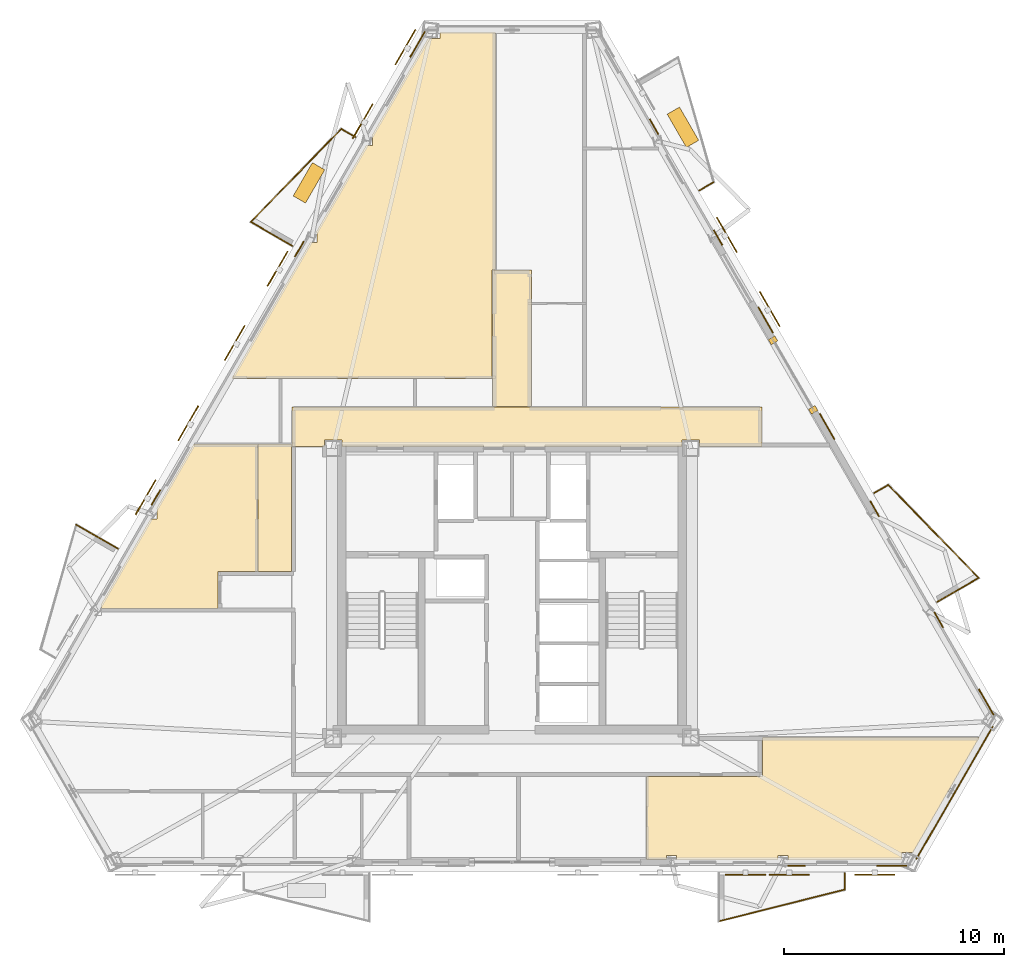
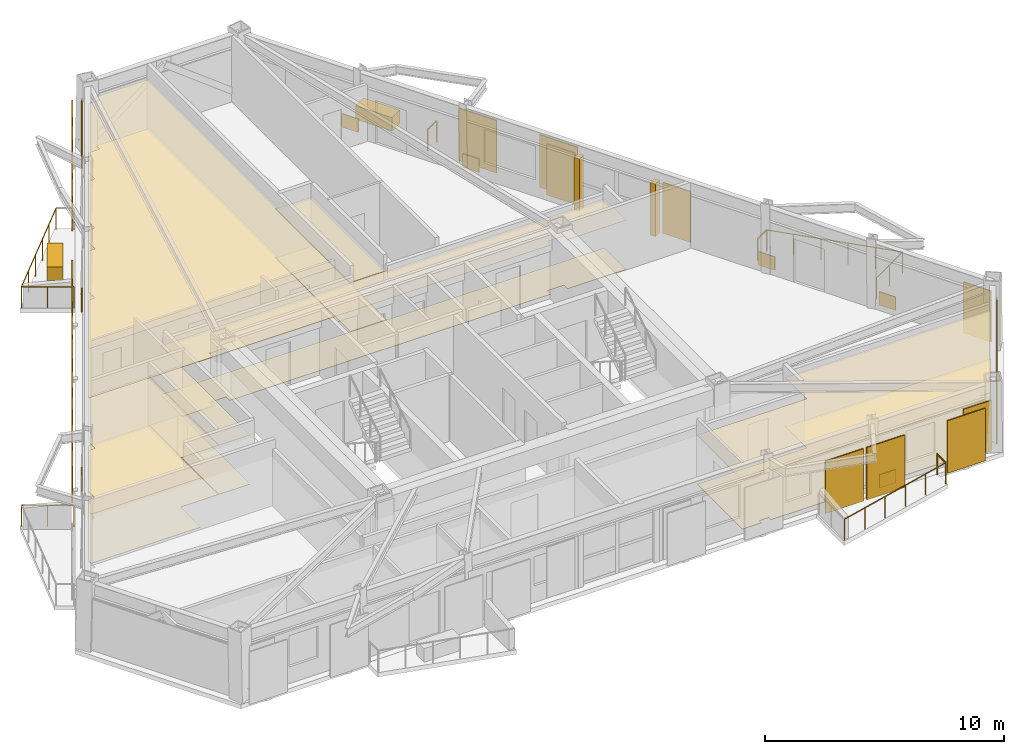
# One storey, part 12 of 13: 29 coverings, 11 shading devices, 10 railings.
"""IFC4 building model written with IfcOpenShell, lengths in metres."""

from ifc_helpers import new_model, si_unit, direction, frame, origin, origin_2d, place, context, subcontext, project, spatial, polyline, rectangle, circle, outline, extrude, material, layer, layer_set, type_object, element, save


model = new_model("IFC4")

# Units and contexts
model_context = context("Model", 3, precision=1e-05, world=origin(), true_north=direction((0.0, 1.0)))
body_context = subcontext(model_context, "Body", "Model", "MODEL_VIEW")
ifc_project = project(units=[si_unit("LENGTHUNIT", "METRE"), si_unit("AREAUNIT", "SQUARE_METRE"), si_unit("VOLUMEUNIT", "CUBIC_METRE"), si_unit("PLANEANGLEUNIT", "RADIAN"), si_unit("MASSUNIT", "GRAM", prefix="KILO")], contexts=[model_context])

# Site, building, storey
site_placement = place(None, origin())
site = spatial("IfcSite", under=ifc_project, at=site_placement, CompositionType="ELEMENT")
building_placement = place(site_placement, origin())
building = spatial("IfcBuilding", under=site, at=building_placement, Name="Oramaril Tower", CompositionType="ELEMENT")
storey_placement = place(building_placement, frame((0.0, 0.0, 197.39990234375)))
storey = spatial("IfcBuildingStorey", under=building, at=storey_placement, Name="L52", CompositionType="ELEMENT", Elevation=197.39990234375)

# Coverings
ifc_material_1 = material(Name="Mineral Fibre Acoustic Ceiling")
ifc_layer_1 = layer(ifc_material_1, 0.02001953125)
ifc_layer_set_1 = layer_set([ifc_layer_1], Name="CVT-CEIL")
covering_type_1 = type_object("IfcCoveringType", Name="CVT-CEIL", PredefinedType="CEILING", material=ifc_layer_set_1)
covering_1_placement = place(storey_placement, frame((0.0, 0.0, 2.51220703125)))
element("IfcCovering", 1, at=covering_1_placement, inside=storey, type_object=covering_type_1, Name="L52 Acoustic Suspended Ceiling 2", PredefinedType="CEILING", context=body_context, shape_type="SweptSolid", body=[
    extrude(outline(polyline([(48.8798828125, 24.239990234375), (46.044921875, 24.239990234375), (46.044921875, 24.544921875), (45.2548828125, 24.544921875), (45.2548828125, 24.25), (29.7451171875, 24.25), (29.7451171875, 24.544921875), (28.955078125, 24.544921875), (28.955078125, 24.239990234375), (27.469970703125, 24.239990234375), (27.469970703125, 26.050048828125), (48.8798828125, 26.050048828125), (48.8798828125, 24.239990234375)])), origin(), (0.0, 0.0, 1.0), 0.019775390625),
])
covering_2_placement = place(storey_placement, frame((0.0, 0.0, 2.51220703125)))
element("IfcCovering", 2, at=covering_2_placement, inside=storey, type_object=covering_type_1, Name="L52 Acoustic Suspended Ceiling 4", PredefinedType="CEILING", context=body_context, shape_type="SweptSolid", body=[
    extrude(outline(polyline([(38.3798828125, 26.070068359375), (36.6201171875, 26.070068359375), (36.6201171875, 32.280029296875), (38.3798828125, 32.280029296875), (38.3798828125, 26.070068359375)])), origin(), (0.0, 0.0, 1.0), 0.019775390625),
])
covering_3_placement = place(storey_placement, frame((0.0, 0.0, 2.51220703125)))
element("IfcCovering", 3, at=covering_3_placement, inside=storey, type_object=covering_type_1, Name="L52 Acoustic Suspended Ceiling 7", PredefinedType="CEILING", context=body_context, shape_type="SweptSolid", body=[
    extrude(outline(polyline([(55.775634765625, 5.750732421875), (55.27685546875, 5.750732421875), (55.27685546875, 5.41943359375), (50.0791015625, 5.41943359375), (50.0791015625, 5.60009765625), (49.620361328125, 5.60009765625), (49.620361328125, 5.41943359375), (44.989990234375, 5.41943359375), (44.989990234375, 5.60009765625), (44.539306640625, 5.60009765625), (44.539306640625, 5.41943359375), (43.6181640625, 5.41943359375), (43.6181640625, 9.199951171875), (48.8798828125, 9.199951171875), (48.882080078125, 9.2001953125), (48.8837890625, 9.200439453125), (48.8857421875, 9.200927734375), (48.8876953125, 9.201416015625), (48.889404296875, 9.202392578125), (48.89111328125, 9.203369140625), (48.892578125, 9.20458984375), (48.89404296875, 9.205810546875), (48.8955078125, 9.207275390625), (48.896484375, 9.208984375), (48.897705078125, 9.210693359375), (48.8984375, 9.21240234375), (48.899169921875, 9.214111328125), (48.899658203125, 9.216064453125), (48.89990234375, 9.218017578125), (48.89990234375, 9.219970703125), (48.89990234375, 10.991943359375), (58.8017578125, 10.991943359375), (55.775634765625, 5.750732421875)])), origin(), (0.0, 0.0, 1.0), 0.019775390625),
])
covering_4_placement = place(storey_placement, frame((0.0, 0.0, 2.51220703125)))
element("IfcCovering", 4, at=covering_4_placement, inside=storey, type_object=covering_type_1, Name="L52 Acoustic Suspended Ceiling 14", PredefinedType="CEILING", context=body_context, shape_type="SweptSolid", body=[
    extrude(outline(polyline([(18.79248046875, 17.027099609375), (18.7744140625, 17.027099609375), (21.03564453125, 20.94384765625), (21.3369140625, 20.94384765625), (21.3369140625, 21.427490234375), (21.31494140625, 21.427490234375), (23.009033203125, 24.362060546875), (25.918212890625, 24.362060546875), (25.918212890625, 18.550048828125), (24.1201171875, 18.550048828125), (24.117919921875, 18.5498046875), (24.1162109375, 18.549560546875), (24.1142578125, 18.549072265625), (24.1123046875, 18.548583984375), (24.110595703125, 18.547607421875), (24.10888671875, 18.546630859375), (24.107421875, 18.54541015625), (24.10595703125, 18.544189453125), (24.1044921875, 18.542724609375), (24.103515625, 18.541015625), (24.102294921875, 18.539306640625), (24.1015625, 18.53759765625), (24.100830078125, 18.535888671875), (24.100341796875, 18.533935546875), (24.10009765625, 18.531982421875), (24.10009765625, 18.530029296875), (24.10009765625, 16.862060546875), (18.79248046875, 16.862060546875), (18.79248046875, 17.027099609375)])), origin(), (0.0, 0.0, 1.0), 0.019775390625),
])
covering_5_placement = place(storey_placement, frame((0.0, 0.0, 2.51220703125)))
element("IfcCovering", 5, at=covering_5_placement, inside=storey, type_object=covering_type_1, Name="L52 Acoustic Suspended Ceiling 15", PredefinedType="CEILING", context=body_context, shape_type="SweptSolid", body=[
    extrude(outline(polyline([(27.449951171875, 24.362060546875), (27.449951171875, 24.239990234375), (27.4501953125, 24.238037109375), (27.450439453125, 24.236083984375), (27.450927734375, 24.234130859375), (27.451416015625, 24.232421875), (27.452392578125, 24.230712890625), (27.45263671875, 24.22998046875), (27.452392578125, 24.2294921875), (27.451416015625, 24.227783203125), (27.450927734375, 24.225830078125), (27.450439453125, 24.223876953125), (27.4501953125, 24.221923828125), (27.449951171875, 24.219970703125), (27.449951171875, 18.550048828125), (25.938232421875, 18.550048828125), (25.938232421875, 24.362060546875), (27.449951171875, 24.362060546875)])), origin(), (0.0, 0.0, 1.0), 0.019775390625),
])
covering_6_placement = place(storey_placement, frame((0.0, 0.0, 2.51220703125)))
element("IfcCovering", 6, at=covering_6_placement, inside=storey, type_object=covering_type_1, Name="L52 Acoustic Suspended Ceiling 16", PredefinedType="CEILING", context=body_context, shape_type="SweptSolid", body=[
    extrude(outline(polyline([(36.741943359375, 32.300048828125), (36.6201171875, 32.300048828125), (36.617919921875, 32.2998046875), (36.6162109375, 32.299560546875), (36.6142578125, 32.299072265625), (36.6123046875, 32.298583984375), (36.610595703125, 32.297607421875), (36.60888671875, 32.296630859375), (36.607421875, 32.29541015625), (36.60595703125, 32.294189453125), (36.6044921875, 32.292724609375), (36.603515625, 32.291015625), (36.602294921875, 32.289306640625), (36.6015625, 32.28759765625), (36.600830078125, 32.285888671875), (36.600341796875, 32.283935546875), (36.60009765625, 32.281982421875), (36.60009765625, 32.280029296875), (36.60009765625, 27.347900390625), (24.73291015625, 27.347900390625), (28.305908203125, 33.53662109375), (28.607421875, 33.53662109375), (28.607421875, 34.0), (28.573486328125, 34.0), (30.8505859375, 37.94384765625), (31.152099609375, 37.94384765625), (31.152099609375, 38.400390625), (31.114013671875, 38.400390625), (33.671875, 42.83056640625), (34.210693359375, 42.83056640625), (34.210693359375, 43.101806640625), (36.741943359375, 43.101806640625), (36.741943359375, 32.300048828125)])), origin(), (0.0, 0.0, 1.0), 0.019775390625),
])
ifc_material_2 = material(Name="Warm Cream Limestone", Category="masonry")
ifc_layer_2 = layer(ifc_material_2, 0.050048828125)
ifc_layer_set_2 = layer_set([ifc_layer_2], Name="CVT-CLD")
covering_type_2 = type_object("IfcCoveringType", Name="CVT-CLD", PredefinedType="CLADDING", material=ifc_layer_set_2)
covering_7_placement = place(storey_placement, frame((54.796875, 5.1435546875, 0.0400390625), z_axis=(0.0, 0.0, 1.0), x_axis=(1.0, 0.0, 0.0)))
element("IfcCovering", 7, at=covering_7_placement, inside=storey, type_object=covering_type_2, Name="L52 Warm Cream Limestone Cladding", PredefinedType="CLADDING", context=body_context, shape_type="SweptSolid", body=[
    extrude(rectangle(XDim=1.35009765625, YDim=0.050048828125, at=origin_2d()), origin(), (0.0, 0.0, 1.0), 2.596923828125),
])
covering_8_placement = place(storey_placement, frame((50.4638671875, 5.1435546875, 0.0400390625), z_axis=(0.0, 0.0, 1.0), x_axis=(1.0, 0.0, 0.0)))
element("IfcCovering", 8, at=covering_8_placement, inside=storey, type_object=covering_type_2, Name="L52 Warm Cream Limestone Spandrel Cladding", PredefinedType="CLADDING", context=body_context, shape_type="SweptSolid", body=[
    extrude(rectangle(XDim=0.800048828125, YDim=0.050048828125, at=origin_2d()), origin(), (0.0, 0.0, 1.0), 0.679931640625),
])
covering_9_placement = place(storey_placement, frame((57.6591796875, 8.461181640625, 0.0400390625), z_axis=(0.0, 0.0, 1.0), x_axis=(0.499995465495, 0.866028021766, 0.0)))
element("IfcCovering", 9, at=covering_9_placement, inside=storey, type_object=covering_type_2, Name="L52 Warm Cream Limestone Cladding", PredefinedType="CLADDING", context=body_context, shape_type="SweptSolid", body=[
    extrude(rectangle(XDim=6.9677734375, YDim=0.050048828125, at=origin_2d()), origin(), (0.0, 0.0, 1.0), 2.596923828125),
])
for number, where, z_axis, x_axis, name in (
    (10, (51.22216796875, 25.909423828125, 0.0), (0.0, 0.0, 1.0), (-0.5, 0.866025403784, 0.0), "L52 Curtain Wall Limestone Jamb Closure"),
    (11, (49.39208984375, 29.0791015625, 0.0), (0.0, 0.0, 1.0), (-0.5, 0.866025403784, 0.0), "L52 Curtain Wall Limestone Jamb Closure"),
):
    element("IfcCovering", number, at=place(storey_placement, frame(where, z_axis=z_axis, x_axis=x_axis)), inside=storey, type_object=covering_type_2, Name=name, PredefinedType="CLADDING", context=body_context, shape_type="SweptSolid", body=[
        extrude(rectangle(XDim=0.260009765625, YDim=0.340087890625, at=origin_2d()), origin(), (0.0, 0.0, 1.0), 2.677001953125),
    ])
for number, where, z_axis, x_axis, name in (
    (12, (59.10107421875, 12.598876953125, 0.0400390625), (0.0, 0.0, 1.0), (-0.5, 0.866025403784, 0.0), "L52 Warm Cream Limestone Cladding"),
    (13, (51.852783203125, 25.1533203125, 0.0400390625), (0.0, 0.0, 1.0), (-0.5, 0.866025403784, 0.0), "L52 Warm Cream Limestone Cladding"),
):
    element("IfcCovering", number, at=place(storey_placement, frame(where, z_axis=z_axis, x_axis=x_axis)), inside=storey, type_object=covering_type_2, Name=name, PredefinedType="CLADDING", context=body_context, shape_type="SweptSolid", body=[
        extrude(rectangle(XDim=1.35009765625, YDim=0.050048828125, at=origin_2d()), origin(), (0.0, 0.0, 1.0), 2.596923828125),
    ])
for number, where, z_axis, x_axis, name in (
    (14, (56.9345703125, 16.351318359375, 0.0400390625), (0.0, 0.0, 1.0), (-0.5, 0.866025403784, 0.0), "L52 Warm Cream Limestone Spandrel Cladding"),
    (15, (54.019287109375, 21.40087890625, 0.0400390625), (0.0, 0.0, 1.0), (-0.5, 0.866025403784, 0.0), "L52 Warm Cream Limestone Spandrel Cladding"),
):
    element("IfcCovering", number, at=place(storey_placement, frame(where, z_axis=z_axis, x_axis=x_axis)), inside=storey, type_object=covering_type_2, Name=name, PredefinedType="CLADDING", context=body_context, shape_type="SweptSolid", body=[
        extrude(rectangle(XDim=0.800048828125, YDim=0.050048828125, at=origin_2d()), origin(), (0.0, 0.0, 1.0), 0.679931640625),
    ])
covering_10_placement = place(storey_placement, frame((49.052734375, 30.003173828125, 0.0400390625), z_axis=(0.0, 0.0, 1.0), x_axis=(-0.5, 0.866025403784, 0.0)))
element("IfcCovering", 16, at=covering_10_placement, inside=storey, type_object=covering_type_2, Name="L52 Warm Cream Limestone Cladding", PredefinedType="CLADDING", context=body_context, shape_type="SweptSolid", body=[
    extrude(rectangle(XDim=1.35009765625, YDim=0.050048828125, at=origin_2d()), origin(), (0.0, 0.0, 1.0), 2.596923828125),
])
for number, where, z_axis, x_axis, name in (
    (17, (46.88623046875, 33.755615234375, 0.0400390625), (0.0, 0.0, 1.0), (-0.5, 0.866025403784, 0.0), "L52 Warm Cream Limestone Spandrel Cladding"),
    (18, (43.970703125, 38.805419921875, 0.0400390625), (0.0, 0.0, 1.0), (-0.5, 0.866025403784, 0.0), "L52 Warm Cream Limestone Spandrel Cladding"),
):
    element("IfcCovering", number, at=place(storey_placement, frame(where, z_axis=z_axis, x_axis=x_axis)), inside=storey, type_object=covering_type_2, Name=name, PredefinedType="CLADDING", context=body_context, shape_type="SweptSolid", body=[
        extrude(rectangle(XDim=0.800048828125, YDim=0.050048828125, at=origin_2d()), origin(), (0.0, 0.0, 1.0), 0.679931640625),
    ])
covering_11_placement = place(storey_placement, frame((33.19580078125, 42.557861328125, 0.0400390625), z_axis=(0.0, 0.0, 1.0), x_axis=(-0.5, -0.866025403784, 0.0)))
element("IfcCovering", 19, at=covering_11_placement, inside=storey, type_object=covering_type_2, Name="L52 Warm Cream Limestone Cladding", PredefinedType="CLADDING", context=body_context, shape_type="SweptSolid", body=[
    extrude(rectangle(XDim=1.35009765625, YDim=0.050048828125, at=origin_2d()), origin(), (0.0, 0.0, 1.0), 2.596923828125),
])
for number, where, z_axis, x_axis, name in (
    (20, (27.813720703125, 33.23583984375, 0.0400390625), (0.0, 0.0, 1.0), (-0.5, -0.866025403784, 0.0), "L52 Warm Cream Limestone Spandrel Cladding"),
    (21, (21.281005859375, 21.920654296875, 0.0400390625), (0.0, 0.0, 1.0), (-0.5, -0.866025403784, 0.0), "L52 Warm Cream Limestone Spandrel Cladding"),
):
    element("IfcCovering", number, at=place(storey_placement, frame(where, z_axis=z_axis, x_axis=x_axis)), inside=storey, type_object=covering_type_2, Name=name, PredefinedType="CLADDING", context=body_context, shape_type="SweptSolid", body=[
        extrude(rectangle(XDim=0.800048828125, YDim=0.050048828125, at=origin_2d()), origin(), (0.0, 0.0, 1.0), 0.679931640625),
    ])
for number, where, z_axis, x_axis, name in (
    (22, (45.286376953125, 38.78369140625, 0.0), (0.0, 0.0, 1.0), (-0.5, 0.866025403784, 0.0), "L52 Structural Tree Planter Box L52-BAL-NE2"),
    (23, (28.251220703125, 36.25048828125, 0.0), (0.0, 0.0, 1.0), (-0.5, -0.866025403784, 0.0), "L52 Structural Tree Planter Box L52-BAL-NW1"),
):
    element("IfcCovering", number, at=place(storey_placement, frame(where, z_axis=z_axis, x_axis=x_axis)), inside=storey, type_object=covering_type_2, Name=name, PredefinedType="CLADDING", context=body_context, shape_type="SweptSolid", body=[
        extrude(rectangle(XDim=1.75, YDim=0.64990234375, at=origin_2d()), origin(), (0.0, 0.0, 1.0), 0.699951171875),
    ])
ifc_material_3 = material(Name="Honed Quartzite Stone Flooring", Category="masonry")
ifc_layer_3 = layer(ifc_material_3, 0.02490234375)
ifc_layer_set_3 = layer_set([ifc_layer_3], Name="CVT-FLR")
covering_type_3 = type_object("IfcCoveringType", Name="CVT-FLR", PredefinedType="FLOORING", material=ifc_layer_set_3)
covering_12_placement = place(storey_placement, origin())
element("IfcCovering", 24, at=covering_12_placement, inside=storey, type_object=covering_type_3, Name="L52 Honed Stone Floor Finish 2", PredefinedType="FLOORING", context=body_context, shape_type="SweptSolid", body=[
    extrude(outline(polyline([(48.8798828125, 24.239990234375), (46.044921875, 24.239990234375), (46.044921875, 24.544921875), (45.2548828125, 24.544921875), (45.2548828125, 24.25), (29.7451171875, 24.25), (29.7451171875, 24.544921875), (28.955078125, 24.544921875), (28.955078125, 24.239990234375), (27.469970703125, 24.239990234375), (27.469970703125, 26.050048828125), (48.8798828125, 26.050048828125), (48.8798828125, 24.239990234375)])), origin(), (0.0, 0.0, 1.0), 0.025146484375),
])
covering_13_placement = place(storey_placement, origin())
element("IfcCovering", 25, at=covering_13_placement, inside=storey, type_object=covering_type_3, Name="L52 Honed Stone Floor Finish 4", PredefinedType="FLOORING", context=body_context, shape_type="SweptSolid", body=[
    extrude(outline(polyline([(38.3798828125, 26.070068359375), (36.6201171875, 26.070068359375), (36.6201171875, 32.280029296875), (38.3798828125, 32.280029296875), (38.3798828125, 26.070068359375)])), origin(), (0.0, 0.0, 1.0), 0.025146484375),
])
covering_14_placement = place(storey_placement, origin())
element("IfcCovering", 26, at=covering_14_placement, inside=storey, type_object=covering_type_3, Name="L52 Honed Stone Floor Finish 7", PredefinedType="FLOORING", context=body_context, shape_type="SweptSolid", body=[
    extrude(outline(polyline([(55.775634765625, 5.750732421875), (55.27685546875, 5.750732421875), (55.27685546875, 5.41943359375), (50.0791015625, 5.41943359375), (50.0791015625, 5.60009765625), (49.620361328125, 5.60009765625), (49.620361328125, 5.41943359375), (44.989990234375, 5.41943359375), (44.989990234375, 5.60009765625), (44.539306640625, 5.60009765625), (44.539306640625, 5.41943359375), (43.6181640625, 5.41943359375), (43.6181640625, 9.199951171875), (48.8798828125, 9.199951171875), (48.882080078125, 9.2001953125), (48.8837890625, 9.200439453125), (48.8857421875, 9.200927734375), (48.8876953125, 9.201416015625), (48.889404296875, 9.202392578125), (48.89111328125, 9.203369140625), (48.892578125, 9.20458984375), (48.89404296875, 9.205810546875), (48.8955078125, 9.207275390625), (48.896484375, 9.208984375), (48.897705078125, 9.210693359375), (48.8984375, 9.21240234375), (48.899169921875, 9.214111328125), (48.899658203125, 9.216064453125), (48.89990234375, 9.218017578125), (48.89990234375, 9.219970703125), (48.89990234375, 10.991943359375), (58.8017578125, 10.991943359375), (55.775634765625, 5.750732421875)])), origin(), (0.0, 0.0, 1.0), 0.025146484375),
])
covering_15_placement = place(storey_placement, origin())
element("IfcCovering", 27, at=covering_15_placement, inside=storey, type_object=covering_type_3, Name="L52 Honed Stone Floor Finish 14", PredefinedType="FLOORING", context=body_context, shape_type="SweptSolid", body=[
    extrude(outline(polyline([(18.79248046875, 17.027099609375), (18.7744140625, 17.027099609375), (21.03564453125, 20.94384765625), (21.3369140625, 20.94384765625), (21.3369140625, 21.427490234375), (21.31494140625, 21.427490234375), (23.009033203125, 24.362060546875), (25.918212890625, 24.362060546875), (25.918212890625, 18.550048828125), (24.1201171875, 18.550048828125), (24.117919921875, 18.5498046875), (24.1162109375, 18.549560546875), (24.1142578125, 18.549072265625), (24.1123046875, 18.548583984375), (24.110595703125, 18.547607421875), (24.10888671875, 18.546630859375), (24.107421875, 18.54541015625), (24.10595703125, 18.544189453125), (24.1044921875, 18.542724609375), (24.103515625, 18.541015625), (24.102294921875, 18.539306640625), (24.1015625, 18.53759765625), (24.100830078125, 18.535888671875), (24.100341796875, 18.533935546875), (24.10009765625, 18.531982421875), (24.10009765625, 18.530029296875), (24.10009765625, 16.862060546875), (18.79248046875, 16.862060546875), (18.79248046875, 17.027099609375)])), origin(), (0.0, 0.0, 1.0), 0.025146484375),
])
covering_16_placement = place(storey_placement, origin())
element("IfcCovering", 28, at=covering_16_placement, inside=storey, type_object=covering_type_3, Name="L52 Honed Stone Floor Finish 15", PredefinedType="FLOORING", context=body_context, shape_type="SweptSolid", body=[
    extrude(outline(polyline([(27.449951171875, 24.362060546875), (27.449951171875, 24.239990234375), (27.4501953125, 24.238037109375), (27.450439453125, 24.236083984375), (27.450927734375, 24.234130859375), (27.451416015625, 24.232421875), (27.452392578125, 24.230712890625), (27.45263671875, 24.22998046875), (27.452392578125, 24.2294921875), (27.451416015625, 24.227783203125), (27.450927734375, 24.225830078125), (27.450439453125, 24.223876953125), (27.4501953125, 24.221923828125), (27.449951171875, 24.219970703125), (27.449951171875, 18.550048828125), (25.938232421875, 18.550048828125), (25.938232421875, 24.362060546875), (27.449951171875, 24.362060546875)])), origin(), (0.0, 0.0, 1.0), 0.025146484375),
])
covering_17_placement = place(storey_placement, origin())
element("IfcCovering", 29, at=covering_17_placement, inside=storey, type_object=covering_type_3, Name="L52 Honed Stone Floor Finish 16", PredefinedType="FLOORING", context=body_context, shape_type="SweptSolid", body=[
    extrude(outline(polyline([(36.741943359375, 32.300048828125), (36.6201171875, 32.300048828125), (36.617919921875, 32.2998046875), (36.6162109375, 32.299560546875), (36.6142578125, 32.299072265625), (36.6123046875, 32.298583984375), (36.610595703125, 32.297607421875), (36.60888671875, 32.296630859375), (36.607421875, 32.29541015625), (36.60595703125, 32.294189453125), (36.6044921875, 32.292724609375), (36.603515625, 32.291015625), (36.602294921875, 32.289306640625), (36.6015625, 32.28759765625), (36.600830078125, 32.285888671875), (36.600341796875, 32.283935546875), (36.60009765625, 32.281982421875), (36.60009765625, 32.280029296875), (36.60009765625, 27.347900390625), (24.73291015625, 27.347900390625), (28.305908203125, 33.53662109375), (28.607421875, 33.53662109375), (28.607421875, 34.0), (28.573486328125, 34.0), (30.8505859375, 37.94384765625), (31.152099609375, 37.94384765625), (31.152099609375, 38.400390625), (31.114013671875, 38.400390625), (33.671875, 42.83056640625), (34.210693359375, 42.83056640625), (34.210693359375, 43.101806640625), (36.741943359375, 43.101806640625), (36.741943359375, 32.300048828125)])), origin(), (0.0, 0.0, 1.0), 0.025146484375),
])

# Railings
ifc_material_4 = material(Name="Stainless Steel 316L", Category="steel")
railing_type = type_object("IfcRailingType", Name="RLT-GRD", PredefinedType="GUARDRAIL", material=ifc_material_4)
railing_1_placement = place(storey_placement, frame((52.65234375, 4.803466796875, 0.0)))
element("IfcRailing", 30, at=railing_1_placement, inside=storey, type_object=railing_type, Name="L52 Balcony Guardrail L52-BAL-S2.1", PredefinedType="GUARDRAIL", context=body_context, shape_type="SweptSolid", body=[
    extrude(circle(Radius=0.02392578125, at=origin_2d()), frame((0.0, 0.0, 1.076171875), z_axis=(0.0, -1.0, 0.0), x_axis=(1.0, 0.0, 0.0)), (0.0, 0.0, 1.0), 0.741943359375),
    extrude(circle(Radius=0.02099609375, at=origin_2d()), origin(), (0.0, 0.0, 1.0), 1.052001953125),
    extrude(circle(Radius=0.02099609375, at=origin_2d()), frame((0.0, -0.741943359375, 0.0)), (0.0, 0.0, 1.0), 1.052001953125),
])
railing_2_placement = place(storey_placement, frame((52.65234375, 4.0615234375, 0.0)))
element("IfcRailing", 31, at=railing_2_placement, inside=storey, type_object=railing_type, Name="L52 Balcony Guardrail L52-BAL-S2.2", PredefinedType="GUARDRAIL", context=body_context, shape_type="SweptSolid", body=[
    extrude(circle(Radius=0.02392578125, at=origin_2d()), frame((0.0, 0.0, 1.076171875), z_axis=(-0.969443611257, -0.245314256807, 0.0), x_axis=(0.245314256807, -0.969443611257, 0.0)), (0.0, 0.0, 1.0), 5.91064453125),
    extrude(circle(Radius=0.02099609375, at=origin_2d()), origin(), (0.0, 0.0, 1.0), 1.052001953125),
    extrude(circle(Radius=0.02099609375, at=origin_2d()), frame((-1.14599609375, -0.2900390625, 0.0)), (0.0, 0.0, 1.0), 1.052001953125),
    extrude(circle(Radius=0.02099609375, at=origin_2d()), frame((-2.2919921875, -0.580078125, 0.0)), (0.0, 0.0, 1.0), 1.052001953125),
    extrude(circle(Radius=0.02099609375, at=origin_2d()), frame((-3.43798828125, -0.869873046875, 0.0)), (0.0, 0.0, 1.0), 1.052001953125),
    extrude(circle(Radius=0.02099609375, at=origin_2d()), frame((-4.583984375, -1.159912109375, 0.0)), (0.0, 0.0, 1.0), 1.052001953125),
    extrude(circle(Radius=0.02099609375, at=origin_2d()), frame((-5.72998046875, -1.449951171875, 0.0)), (0.0, 0.0, 1.0), 1.052001953125),
])
railing_3_placement = place(storey_placement, frame((53.995849609375, 22.121337890625, 0.0)))
element("IfcRailing", 32, at=railing_3_placement, inside=storey, type_object=railing_type, Name="L52 Balcony Guardrail L52-BAL-NE1.1", PredefinedType="GUARDRAIL", context=body_context, shape_type="SweptSolid", body=[
    extrude(circle(Radius=0.02392578125, at=origin_2d()), frame((0.0, 0.0, 1.076171875), z_axis=(0.865966403178, 0.500102178127, 0.0), x_axis=(-0.500102178127, 0.865966403178, 0.0)), (0.0, 0.0, 1.0), 0.741943359375),
    extrude(circle(Radius=0.02099609375, at=origin_2d()), origin(), (0.0, 0.0, 1.0), 1.052001953125),
    extrude(circle(Radius=0.02099609375, at=origin_2d()), frame((0.642578125, 0.37109375, 0.0)), (0.0, 0.0, 1.0), 1.052001953125),
])
railing_4_placement = place(storey_placement, frame((54.638427734375, 22.492431640625, 0.0)))
element("IfcRailing", 33, at=railing_4_placement, inside=storey, type_object=railing_type, Name="L52 Balcony Guardrail L52-BAL-NE1.2", PredefinedType="GUARDRAIL", context=body_context, shape_type="SweptSolid", body=[
    extrude(circle(Radius=0.02392578125, at=origin_2d()), frame((0.0, 0.0, 1.076171875), z_axis=(0.697186915353, -0.716889395277, 0.0), x_axis=(0.716889395277, 0.697186915353, 0.0)), (0.0, 0.0, 1.0), 5.91064453125),
    extrude(circle(Radius=0.02099609375, at=origin_2d()), origin(), (0.0, 0.0, 1.0), 1.052001953125),
    extrude(circle(Radius=0.02099609375, at=origin_2d()), frame((0.82421875, -0.847412109375, 0.0)), (0.0, 0.0, 1.0), 1.052001953125),
    extrude(circle(Radius=0.02099609375, at=origin_2d()), frame((1.6484375, -1.69482421875, 0.0)), (0.0, 0.0, 1.0), 1.052001953125),
    extrude(circle(Radius=0.02099609375, at=origin_2d()), frame((2.472412109375, -2.54248046875, 0.0)), (0.0, 0.0, 1.0), 1.052001953125),
    extrude(circle(Radius=0.02099609375, at=origin_2d()), frame((3.296630859375, -3.389892578125, 0.0)), (0.0, 0.0, 1.0), 1.052001953125),
    extrude(circle(Radius=0.02099609375, at=origin_2d()), frame((4.120849609375, -4.2373046875, 0.0)), (0.0, 0.0, 1.0), 1.052001953125),
])
railing_5_placement = place(storey_placement, frame((58.75927734375, 18.255126953125, 0.0)))
element("IfcRailing", 34, at=railing_5_placement, inside=storey, type_object=railing_type, Name="L52 Balcony Guardrail L52-BAL-NE1.3", PredefinedType="GUARDRAIL", context=body_context, shape_type="SweptSolid", body=[
    extrude(circle(Radius=0.02392578125, at=origin_2d()), frame((0.0, 0.0, 1.076171875), z_axis=(-0.866048343933, -0.499960264392, 0.0), x_axis=(0.499960264392, -0.866048343933, 0.0)), (0.0, 0.0, 1.0), 2.192138671875),
    extrude(circle(Radius=0.02099609375, at=origin_2d()), origin(), (0.0, 0.0, 1.0), 1.052001953125),
    extrude(circle(Radius=0.02099609375, at=origin_2d()), frame((-0.94921875, -0.5478515625, 0.0)), (0.0, 0.0, 1.0), 1.052001953125),
    extrude(circle(Radius=0.02099609375, at=origin_2d()), frame((-1.8984375, -1.095947265625, 0.0)), (0.0, 0.0, 1.0), 1.052001953125),
])
railing_6_placement = place(storey_placement, frame((46.678466796875, 36.279296875, 0.0)))
element("IfcRailing", 35, at=railing_6_placement, inside=storey, type_object=railing_type, Name="L52 Balcony Guardrail L52-BAL-NE2.3", PredefinedType="GUARDRAIL", context=body_context, shape_type="SweptSolid", body=[
    extrude(circle(Radius=0.02392578125, at=origin_2d()), frame((0.0, 0.0, 1.076171875), z_axis=(-0.866108878364, -0.499855389907, 0.0), x_axis=(0.499855389907, -0.866108878364, 0.0)), (0.0, 0.0, 1.0), 0.741943359375),
    extrude(circle(Radius=0.02099609375, at=origin_2d()), origin(), (0.0, 0.0, 1.0), 1.052001953125),
    extrude(circle(Radius=0.02099609375, at=origin_2d()), frame((-0.642578125, -0.370849609375, 0.0)), (0.0, 0.0, 1.0), 1.052001953125),
])
railing_7_placement = place(storey_placement, frame((27.50146484375, 33.375244140625, 0.0)))
element("IfcRailing", 36, at=railing_7_placement, inside=storey, type_object=railing_type, Name="L52 Balcony Guardrail L52-BAL-NW1.1", PredefinedType="GUARDRAIL", context=body_context, shape_type="SweptSolid", body=[
    extrude(circle(Radius=0.02392578125, at=origin_2d()), frame((0.0, 0.0, 1.076171875), z_axis=(-0.866020500697, 0.5000084923, 0.0), x_axis=(-0.5000084923, -0.866020500697, 0.0)), (0.0, 0.0, 1.0), 2.19189453125),
    extrude(circle(Radius=0.02099609375, at=origin_2d()), origin(), (0.0, 0.0, 1.0), 1.052001953125),
    extrude(circle(Radius=0.02099609375, at=origin_2d()), frame((-0.94921875, 0.5478515625, 0.0)), (0.0, 0.0, 1.0), 1.052001953125),
    extrude(circle(Radius=0.02099609375, at=origin_2d()), frame((-1.898193359375, 1.095947265625, 0.0)), (0.0, 0.0, 1.0), 1.052001953125),
])
railing_8_placement = place(storey_placement, frame((25.603271484375, 34.47119140625, 0.0)))
element("IfcRailing", 37, at=railing_8_placement, inside=storey, type_object=railing_type, Name="L52 Balcony Guardrail L52-BAL-NW1.2", PredefinedType="GUARDRAIL", context=body_context, shape_type="SweptSolid", body=[
    extrude(circle(Radius=0.02392578125, at=origin_2d()), frame((0.0, 0.0, 1.076171875), z_axis=(0.697186915353, 0.716889395277, 0.0), x_axis=(-0.716889395277, 0.697186915353, 0.0)), (0.0, 0.0, 1.0), 5.91064453125),
    extrude(circle(Radius=0.02099609375, at=origin_2d()), origin(), (0.0, 0.0, 1.0), 1.052001953125),
    extrude(circle(Radius=0.02099609375, at=origin_2d()), frame((0.82421875, 0.847412109375, 0.0)), (0.0, 0.0, 1.0), 1.052001953125),
    extrude(circle(Radius=0.02099609375, at=origin_2d()), frame((1.6484375, 1.69482421875, 0.0)), (0.0, 0.0, 1.0), 1.052001953125),
    extrude(circle(Radius=0.02099609375, at=origin_2d()), frame((2.472412109375, 2.54248046875, 0.0)), (0.0, 0.0, 1.0), 1.052001953125),
    extrude(circle(Radius=0.02099609375, at=origin_2d()), frame((3.296630859375, 3.389892578125, 0.0)), (0.0, 0.0, 1.0), 1.052001953125),
    extrude(circle(Radius=0.02099609375, at=origin_2d()), frame((4.120849609375, 4.2373046875, 0.0)), (0.0, 0.0, 1.0), 1.052001953125),
])
railing_9_placement = place(storey_placement, frame((29.72412109375, 38.70849609375, 0.0)))
element("IfcRailing", 38, at=railing_9_placement, inside=storey, type_object=railing_type, Name="L52 Balcony Guardrail L52-BAL-NW1.3", PredefinedType="GUARDRAIL", context=body_context, shape_type="SweptSolid", body=[
    extrude(circle(Radius=0.02392578125, at=origin_2d()), frame((0.0, 0.0, 1.076171875), z_axis=(0.865884080729, -0.500244698863, 0.0), x_axis=(0.500244698863, 0.865884080729, 0.0)), (0.0, 0.0, 1.0), 0.741943359375),
    extrude(circle(Radius=0.02099609375, at=origin_2d()), origin(), (0.0, 0.0, 1.0), 1.052001953125),
    extrude(circle(Radius=0.02099609375, at=origin_2d()), frame((0.642333984375, -0.37109375, 0.0)), (0.0, 0.0, 1.0), 1.052001953125),
])
railing_10_placement = place(storey_placement, frame((17.643310546875, 20.68408203125, 0.0)))
element("IfcRailing", 39, at=railing_10_placement, inside=storey, type_object=railing_type, Name="L52 Balcony Guardrail L52-BAL-NW2.3", PredefinedType="GUARDRAIL", context=body_context, shape_type="SweptSolid", body=[
    extrude(circle(Radius=0.02392578125, at=origin_2d()), frame((0.0, 0.0, 1.076171875), z_axis=(0.866020500697, -0.5000084923, 0.0), x_axis=(0.5000084923, 0.866020500697, 0.0)), (0.0, 0.0, 1.0), 2.19189453125),
    extrude(circle(Radius=0.02099609375, at=origin_2d()), origin(), (0.0, 0.0, 1.0), 1.052001953125),
    extrude(circle(Radius=0.02099609375, at=origin_2d()), frame((0.94921875, -0.5478515625, 0.0)), (0.0, 0.0, 1.0), 1.052001953125),
    extrude(circle(Radius=0.02099609375, at=origin_2d()), frame((1.898193359375, -1.095947265625, 0.0)), (0.0, 0.0, 1.0), 1.052001953125),
])

# Shading devices
for number, where, z_axis, x_axis, name in (
    (40, (48.136962890625, 4.7314453125, -0.02001953125), (0.0, 0.0, 1.0), (1.0, 0.0, 0.0), "L52 Perforated Ceramic Solar Screen"),
    (41, (50.12451171875, 4.7314453125, -0.02001953125), (0.0, 0.0, 1.0), (1.0, 0.0, 0.0), "L52 Perforated Ceramic Solar Screen"),
    (42, (54.024658203125, 4.7314453125, -0.02001953125), (0.0, 0.0, 1.0), (1.0, 0.0, 0.0), "L52 Perforated Ceramic Solar Screen"),
    (43, (49.239990234375, 30.5029296875, -0.02001953125), (0.0, 0.0, 1.0), (-0.4999984885, 0.866026276448, 0.0), "L52 Perforated Ceramic Solar Screen"),
    (44, (47.289794921875, 33.88037109375, -0.02001953125), (0.0, 0.0, 1.0), (-0.4999984885, 0.866026276448, 0.0), "L52 Perforated Ceramic Solar Screen"),
    (45, (22.7587890625, 25.304443359375, -0.02001953125), (0.0, 0.0, 1.0), (-0.5, -0.866025403784, 0.0), "L52 Perforated Ceramic Solar Screen"),
    (46, (20.808837890625, 21.927001953125, -0.02001953125), (0.0, 0.0, 1.0), (-0.5, -0.866025403784, 0.0), "L52 Perforated Ceramic Solar Screen"),
    (47, (32.648193359375, 42.43310546875, -0.02001953125), (0.0, 0.0, 1.0), (-0.5, -0.866025403784, 0.0), "L52 Perforated Ceramic Solar Screen"),
    (48, (30.697998046875, 39.0556640625, -0.02001953125), (0.0, 0.0, 1.0), (-0.5, -0.866025403784, 0.0), "L52 Perforated Ceramic Solar Screen"),
    (49, (26.81884765625, 32.3369140625, -0.02001953125), (0.0, 0.0, 1.0), (-0.5, -0.866025403784, 0.0), "L52 Perforated Ceramic Solar Screen"),
    (50, (24.868896484375, 28.959228515625, -0.02001953125), (0.0, 0.0, 1.0), (-0.5, -0.866025403784, 0.0), "L52 Perforated Ceramic Solar Screen"),
):
    element("IfcShadingDevice", number, at=place(storey_placement, frame(where, z_axis=z_axis, x_axis=x_axis)), inside=storey, Name=name, ObjectType="SCREEN", PredefinedType="USERDEFINED", context=body_context, shape_type="SweptSolid", body=[
        extrude(rectangle(XDim=1.8330078125, YDim=0.050048828125, at=origin_2d()), origin(), (0.0, 0.0, 1.0), 2.677001953125),
    ])

save(model, "model.ifc")
